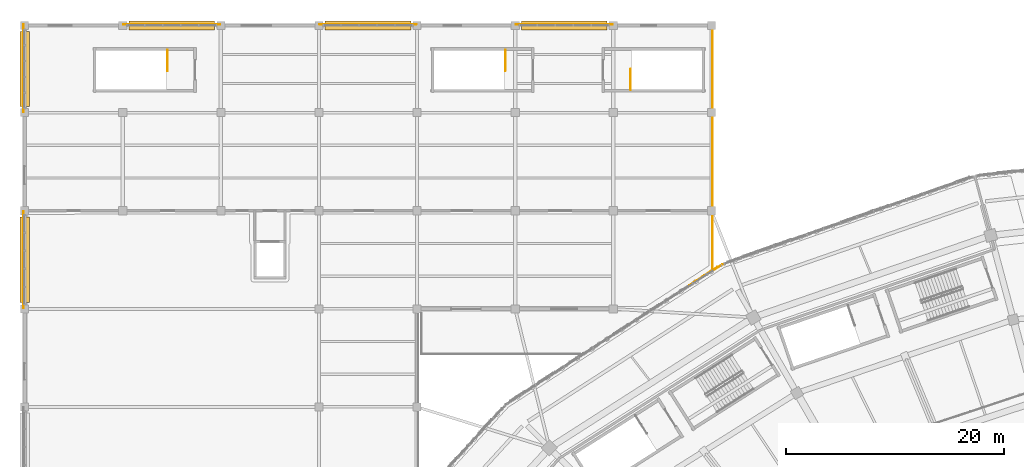
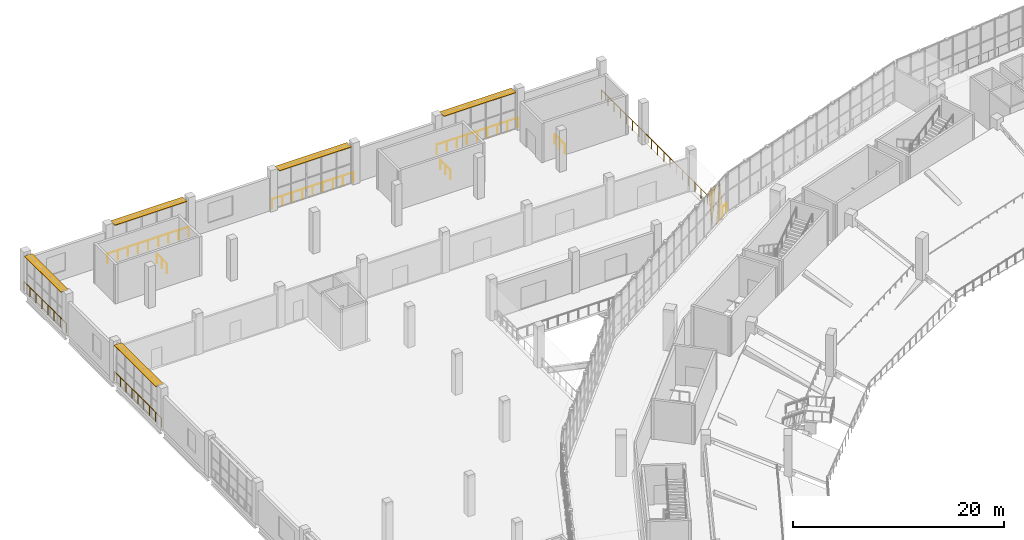
# One storey, part 141 of 152: 10 railings, 5 shading devices, 2 coverings.
"""IFC4 building model written with IfcOpenShell, lengths in metres."""

from ifc_helpers import new_model, si_unit, direction, frame, origin, origin_2d, place, context, subcontext, project, spatial, polyline, rectangle, circle, outline, extrude, material, layer, layer_set, type_object, element, save


model = new_model("IFC4")

# Units and contexts
model_context = context("Model", 3, precision=1e-05, world=origin(), true_north=direction((0.0, 1.0)))
body_context = subcontext(model_context, "Body", "Model", "MODEL_VIEW")
ifc_project = project(units=[si_unit("LENGTHUNIT", "METRE"), si_unit("AREAUNIT", "SQUARE_METRE"), si_unit("VOLUMEUNIT", "CUBIC_METRE"), si_unit("PLANEANGLEUNIT", "RADIAN"), si_unit("MASSUNIT", "GRAM", prefix="KILO")], contexts=[model_context])

# Site, building, storey
site_placement = place(None, origin())
site = spatial("IfcSite", under=ifc_project, at=site_placement, CompositionType="ELEMENT")
building_placement = place(site_placement, origin())
building = spatial("IfcBuilding", under=site, at=building_placement, Name="Zevraka Park Crest Stadium", CompositionType="ELEMENT")
storey_placement = place(building_placement, frame((0.0, 0.0, 15.0)))
storey = spatial("IfcBuildingStorey", under=building, at=storey_placement, Name="L03", CompositionType="ELEMENT", Elevation=15.0)

# Coverings
ifc_material_1 = material(Name="Architectural golden-bronze perforated aluminium", Category="aluminium")
ifc_layer_1 = layer(ifc_material_1, 0.034912109375)
ifc_layer_set_1 = layer_set([ifc_layer_1], Name="Architectural golden-bronze perforated aluminium")
covering_type = type_object("IfcCoveringType", Name="CLD01", PredefinedType="CLADDING", material=ifc_layer_set_1)
covering_1_placement = place(storey_placement, frame((63.554931640625, 161.860107421875, -0.260009765625), z_axis=(-0.54371325202, 0.839271052215, 2.2174779e-05), x_axis=(-0.839271052422, -0.543713252153, 0.0)))
element("IfcCovering", 1, at=covering_1_placement, inside=storey, type_object=covering_type, Name="Triangular Golden-Bronze Perforated Cladding L03-08-1", PredefinedType="CLADDING", context=body_context, shape_type="SweptSolid", body=[
    extrude(outline(polyline([(0.0, 0.0), (1.467861414015771, 1.6940658945086007e-21), (0.7339970782544862, 4.620117188635904), (0.0, 0.0)])), origin(), (0.0, 0.0, -1.0), 0.034912109375),
])
covering_2_placement = place(storey_placement, frame((60.95703125, 160.177978515625, 4.52001953125), z_axis=(-0.543244377894, 0.839574618944, 7.1501841e-05), x_axis=(0.83957462109, 0.543244379282, 0.0)))
element("IfcCovering", 2, at=covering_2_placement, inside=storey, type_object=covering_type, Name="Triangular Golden-Bronze Perforated Cladding L03-08-2", PredefinedType="CLADDING", context=body_context, shape_type="SweptSolid", body=[
    extrude(outline(polyline([(0.0, 0.0), (1.4673306729433993, 0.0), (0.7338642785051281, 4.30004883911703), (0.0, 0.0)])), origin(), (0.0, 0.0, -1.0), 0.034912109375),
])

# Railings
ifc_material_2 = material(Name="Galvanised and bronze-finished steel balustrade", Category="steel")
railing_type_1 = type_object("IfcRailingType", Name="GR01", PredefinedType="GUARDRAIL", material=ifc_material_2)
for number, where, name in (
    (3, (9.06591796875, 184.10498046875, 0.0), "Deck Edge Protection Guardrail GR01 L03-1"),
    (4, (27.06591796875, 184.10498046875, 0.0), "Deck Edge Protection Guardrail GR01 L03-2"),
    (5, (45.06591796875, 184.10498046875, 0.0), "Deck Edge Protection Guardrail GR01 L03-3"),
):
    element("IfcRailing", number, at=place(storey_placement, frame(where)), inside=storey, type_object=railing_type_1, Name=name, PredefinedType="GUARDRAIL", context=body_context, shape_type="SweptSolid", body=[
        extrude(circle(Radius=0.02392578125, at=origin_2d()), frame((0.0, 0.0, 1.076171875), z_axis=(1.0, 0.0, 0.0), x_axis=(0.0, 1.0, 0.0)), (0.0, 0.0, 1.0), 8.8681640625),
        extrude(circle(Radius=0.02099609375, at=origin_2d()), origin(), (0.0, 0.0, 1.0), 1.052001953125),
        extrude(circle(Radius=0.02099609375, at=origin_2d()), frame((1.1083984375, 0.0, 0.0)), (0.0, 0.0, 1.0), 1.052001953125),
        extrude(circle(Radius=0.02099609375, at=origin_2d()), frame((2.217041015625, 0.0, 0.0)), (0.0, 0.0, 1.0), 1.052001953125),
        extrude(circle(Radius=0.02099609375, at=origin_2d()), frame((3.32568359375, 0.0, 0.0)), (0.0, 0.0, 1.0), 1.052001953125),
        extrude(circle(Radius=0.02099609375, at=origin_2d()), frame((4.43408203125, 0.0, 0.0)), (0.0, 0.0, 1.0), 1.052001953125),
        extrude(circle(Radius=0.02099609375, at=origin_2d()), frame((5.54248046875, 0.0, 0.0)), (0.0, 0.0, 1.0), 1.052001953125),
        extrude(circle(Radius=0.02099609375, at=origin_2d()), frame((6.651123046875, 0.0, 0.0)), (0.0, 0.0, 1.0), 1.052001953125),
        extrude(circle(Radius=0.02099609375, at=origin_2d()), frame((7.759765625, 0.0, 0.0)), (0.0, 0.0, 1.0), 1.052001953125),
        extrude(circle(Radius=0.02099609375, at=origin_2d()), frame((8.8681640625, 0.0, 0.0)), (0.0, 0.0, 1.0), 1.052001953125),
    ])
railing_1_placement = place(storey_placement, frame((63.10498046875, 184.10498046875, 0.0)))
element("IfcRailing", 6, at=railing_1_placement, inside=storey, type_object=railing_type_1, Name="Deck Edge Protection Guardrail GR01 L03-4", PredefinedType="GUARDRAIL", context=body_context, shape_type="SweptSolid", body=[
    extrude(circle(Radius=0.02392578125, at=origin_2d()), frame((0.0, 0.0, 1.076171875), z_axis=(0.0, -1.0, 0.0), x_axis=(1.0, 0.0, 0.0)), (0.0, 0.0, 1.0), 22.380859375),
    extrude(circle(Radius=0.02099609375, at=origin_2d()), origin(), (0.0, 0.0, 1.0), 1.052001953125),
    extrude(circle(Radius=0.02099609375, at=origin_2d()), frame((0.0, -1.177978515625, 0.0)), (0.0, 0.0, 1.0), 1.052001953125),
    extrude(circle(Radius=0.02099609375, at=origin_2d()), frame((0.0, -2.35595703125, 0.0)), (0.0, 0.0, 1.0), 1.052001953125),
    extrude(circle(Radius=0.02099609375, at=origin_2d()), frame((0.0, -3.533935546875, 0.0)), (0.0, 0.0, 1.0), 1.052001953125),
    extrude(circle(Radius=0.02099609375, at=origin_2d()), frame((0.0, -4.711669921875, 0.0)), (0.0, 0.0, 1.0), 1.052001953125),
    extrude(circle(Radius=0.02099609375, at=origin_2d()), frame((0.0, -5.8896484375, 0.0)), (0.0, 0.0, 1.0), 1.052001953125),
    extrude(circle(Radius=0.02099609375, at=origin_2d()), frame((0.0, -7.067626953125, 0.0)), (0.0, 0.0, 1.0), 1.052001953125),
    extrude(circle(Radius=0.02099609375, at=origin_2d()), frame((0.0, -8.24560546875, 0.0)), (0.0, 0.0, 1.0), 1.052001953125),
    extrude(circle(Radius=0.02099609375, at=origin_2d()), frame((0.0, -9.423583984375, 0.0)), (0.0, 0.0, 1.0), 1.052001953125),
    extrude(circle(Radius=0.02099609375, at=origin_2d()), frame((0.0, -10.6015625, 0.0)), (0.0, 0.0, 1.0), 1.052001953125),
    extrude(circle(Radius=0.02099609375, at=origin_2d()), frame((0.0, -11.779296875, 0.0)), (0.0, 0.0, 1.0), 1.052001953125),
    extrude(circle(Radius=0.02099609375, at=origin_2d()), frame((0.0, -12.957275390625, 0.0)), (0.0, 0.0, 1.0), 1.052001953125),
    extrude(circle(Radius=0.02099609375, at=origin_2d()), frame((0.0, -14.13525390625, 0.0)), (0.0, 0.0, 1.0), 1.052001953125),
    extrude(circle(Radius=0.02099609375, at=origin_2d()), frame((0.0, -15.313232421875, 0.0)), (0.0, 0.0, 1.0), 1.052001953125),
    extrude(circle(Radius=0.02099609375, at=origin_2d()), frame((0.0, -16.4912109375, 0.0)), (0.0, 0.0, 1.0), 1.052001953125),
    extrude(circle(Radius=0.02099609375, at=origin_2d()), frame((0.0, -17.669189453125, 0.0)), (0.0, 0.0, 1.0), 1.052001953125),
    extrude(circle(Radius=0.02099609375, at=origin_2d()), frame((0.0, -18.846923828125, 0.0)), (0.0, 0.0, 1.0), 1.052001953125),
    extrude(circle(Radius=0.02099609375, at=origin_2d()), frame((0.0, -20.02490234375, 0.0)), (0.0, 0.0, 1.0), 1.052001953125),
    extrude(circle(Radius=0.02099609375, at=origin_2d()), frame((0.0, -21.202880859375, 0.0)), (0.0, 0.0, 1.0), 1.052001953125),
    extrude(circle(Radius=0.02099609375, at=origin_2d()), frame((0.0, -22.380859375, 0.0)), (0.0, 0.0, 1.0), 1.052001953125),
])
railing_2_placement = place(storey_placement, frame((63.298095703125, 161.610107421875, 0.0)))
element("IfcRailing", 7, at=railing_2_placement, inside=storey, type_object=railing_type_1, Name="Deck Edge Protection Guardrail GR01 L03-5", PredefinedType="GUARDRAIL", context=body_context, shape_type="SweptSolid", body=[
    extrude(circle(Radius=0.02392578125, at=origin_2d()), frame((0.0, 0.0, 1.076171875), z_axis=(0.839247489197, 0.543749622415, 0.0), x_axis=(-0.543749622415, 0.839247489197, 0.0)), (0.0, 0.0, 1.0), 0.873291015625),
    extrude(circle(Radius=0.02099609375, at=origin_2d()), origin(), (0.0, 0.0, 1.0), 1.052001953125),
    extrude(circle(Radius=0.02099609375, at=origin_2d()), frame((0.73291015625, 0.474853515625, 0.0)), (0.0, 0.0, 1.0), 1.052001953125),
])
railing_3_placement = place(storey_placement, frame((-0.10498046875, 158.06591796875, 0.0)))
element("IfcRailing", 8, at=railing_3_placement, inside=storey, type_object=railing_type_1, Name="Deck Edge Protection Guardrail GR01 L03-51", PredefinedType="GUARDRAIL", context=body_context, shape_type="SweptSolid", body=[
    extrude(circle(Radius=0.02392578125, at=origin_2d()), frame((0.0, 0.0, 1.076171875), z_axis=(0.0, 1.0, 0.0), x_axis=(-1.0, 0.0, 0.0)), (0.0, 0.0, 1.0), 8.8681640625),
    extrude(circle(Radius=0.02099609375, at=origin_2d()), origin(), (0.0, 0.0, 1.0), 1.052001953125),
    extrude(circle(Radius=0.02099609375, at=origin_2d()), frame((0.0, 1.1083984375, 0.0)), (0.0, 0.0, 1.0), 1.052001953125),
    extrude(circle(Radius=0.02099609375, at=origin_2d()), frame((0.0, 2.217041015625, 0.0)), (0.0, 0.0, 1.0), 1.052001953125),
    extrude(circle(Radius=0.02099609375, at=origin_2d()), frame((0.0, 3.32568359375, 0.0)), (0.0, 0.0, 1.0), 1.052001953125),
    extrude(circle(Radius=0.02099609375, at=origin_2d()), frame((0.0, 4.43408203125, 0.0)), (0.0, 0.0, 1.0), 1.052001953125),
    extrude(circle(Radius=0.02099609375, at=origin_2d()), frame((0.0, 5.54248046875, 0.0)), (0.0, 0.0, 1.0), 1.052001953125),
    extrude(circle(Radius=0.02099609375, at=origin_2d()), frame((0.0, 6.651123046875, 0.0)), (0.0, 0.0, 1.0), 1.052001953125),
    extrude(circle(Radius=0.02099609375, at=origin_2d()), frame((0.0, 7.759765625, 0.0)), (0.0, 0.0, 1.0), 1.052001953125),
    extrude(circle(Radius=0.02099609375, at=origin_2d()), frame((0.0, 8.8681640625, 0.0)), (0.0, 0.0, 1.0), 1.052001953125),
])
railing_4_placement = place(storey_placement, frame((-0.10498046875, 176.06591796875, 0.0)))
element("IfcRailing", 9, at=railing_4_placement, inside=storey, type_object=railing_type_1, Name="Deck Edge Protection Guardrail GR01 L03-52", PredefinedType="GUARDRAIL", context=body_context, shape_type="SweptSolid", body=[
    extrude(circle(Radius=0.02392578125, at=origin_2d()), frame((0.0, 0.0, 1.076171875), z_axis=(0.0, 1.0, 0.0), x_axis=(-1.0, 0.0, 0.0)), (0.0, 0.0, 1.0), 8.0390625),
    extrude(circle(Radius=0.02099609375, at=origin_2d()), origin(), (0.0, 0.0, 1.0), 1.052001953125),
    extrude(circle(Radius=0.02099609375, at=origin_2d()), frame((0.0, 1.1484375, 0.0)), (0.0, 0.0, 1.0), 1.052001953125),
    extrude(circle(Radius=0.02099609375, at=origin_2d()), frame((0.0, 2.296875, 0.0)), (0.0, 0.0, 1.0), 1.052001953125),
    extrude(circle(Radius=0.02099609375, at=origin_2d()), frame((0.0, 3.4453125, 0.0)), (0.0, 0.0, 1.0), 1.052001953125),
    extrude(circle(Radius=0.02099609375, at=origin_2d()), frame((0.0, 4.59375, 0.0)), (0.0, 0.0, 1.0), 1.052001953125),
    extrude(circle(Radius=0.02099609375, at=origin_2d()), frame((0.0, 5.7421875, 0.0)), (0.0, 0.0, 1.0), 1.052001953125),
    extrude(circle(Radius=0.02099609375, at=origin_2d()), frame((0.0, 6.890625, 0.0)), (0.0, 0.0, 1.0), 1.052001953125),
    extrude(circle(Radius=0.02099609375, at=origin_2d()), frame((0.0, 8.0390625, 0.0)), (0.0, 0.0, 1.0), 1.052001953125),
])
ifc_material_3 = material(Name="Powder-coated tubular steel stairwell guard", Category="steel")
railing_type_2 = type_object("IfcRailingType", Name="GR03", PredefinedType="GUARDRAIL", material=ifc_material_3)
for number, where, name in (
    (10, (13.10009765625, 181.75, 0.0), "L03 ST47 top well guard 1"),
    (11, (44.10009765625, 181.75, 0.0), "L03 ST49 top well guard 1"),
):
    element("IfcRailing", number, at=place(storey_placement, frame(where)), inside=storey, type_object=railing_type_2, Name=name, PredefinedType="GUARDRAIL", context=body_context, shape_type="SweptSolid", body=[
        extrude(circle(Radius=0.02392578125, at=origin_2d()), frame((0.0, 0.0, 1.076171875), z_axis=(0.0, -1.0, 0.0), x_axis=(1.0, 0.0, 0.0)), (0.0, 0.0, 1.0), 1.909912109375),
        extrude(circle(Radius=0.02099609375, at=origin_2d()), origin(), (0.0, 0.0, 1.0), 1.052001953125),
        extrude(circle(Radius=0.02099609375, at=origin_2d()), frame((0.0, -0.955078125, 0.0)), (0.0, 0.0, 1.0), 1.052001953125),
        extrude(circle(Radius=0.02099609375, at=origin_2d()), frame((0.0, -1.909912109375, 0.0)), (0.0, 0.0, 1.0), 1.052001953125),
    ])
railing_5_placement = place(storey_placement, frame((55.60009765625, 178.090087890625, 0.0)))
element("IfcRailing", 12, at=railing_5_placement, inside=storey, type_object=railing_type_2, Name="L03 ST50 top well guard 1", PredefinedType="GUARDRAIL", context=body_context, shape_type="SweptSolid", body=[
    extrude(circle(Radius=0.02392578125, at=origin_2d()), frame((0.0, 0.0, 1.076171875), z_axis=(0.0, 1.0, 0.0), x_axis=(-1.0, 0.0, 0.0)), (0.0, 0.0, 1.0), 1.909912109375),
    extrude(circle(Radius=0.02099609375, at=origin_2d()), origin(), (0.0, 0.0, 1.0), 1.052001953125),
    extrude(circle(Radius=0.02099609375, at=origin_2d()), frame((0.0, 0.955078125, 0.0)), (0.0, 0.0, 1.0), 1.052001953125),
    extrude(circle(Radius=0.02099609375, at=origin_2d()), frame((0.0, 1.909912109375, 0.0)), (0.0, 0.0, 1.0), 1.052001953125),
])

# Shading devices
ifc_material_4 = material(Name="Architectural golden-bronze anodised bronze", Category="aluminium")
ifc_layer_2 = layer(ifc_material_4, 0.06005859375)
ifc_layer_set_2 = layer_set([ifc_layer_2], Name="Architectural golden-bronze anodised bronze")
shading_device_type = type_object("IfcShadingDeviceType", Name="SHD01", PredefinedType="USERDEFINED", material=ifc_layer_set_2)
shading_device_1_placement = place(storey_placement, frame((0.0, 162.5, 4.4599609375), z_axis=(0.0, 0.0, 1.0), x_axis=(0.0, 1.0, 0.0)))
element("IfcShadingDevice", 13, at=shading_device_1_placement, inside=storey, type_object=shading_device_type, Name="Wing Bronze Solar Screen SHD01 L03-NW-W-6", ObjectType="SOLAR SCREEN", PredefinedType="USERDEFINED", context=body_context, shape_type="SweptSolid", body=[
    extrude(rectangle(XDim=7.8701171875, YDim=0.85009765625, at=origin_2d()), origin(), (0.0, 0.0, 1.0), 0.06005859375),
])
shading_device_2_placement = place(storey_placement, frame((0.0, 180.0, 4.4599609375), z_axis=(0.0, 0.0, 1.0), x_axis=(0.0, 1.0, 0.0)))
element("IfcShadingDevice", 14, at=shading_device_2_placement, inside=storey, type_object=shading_device_type, Name="Wing Bronze Solar Screen SHD01 L03-NW-W-8", ObjectType="SOLAR SCREEN", PredefinedType="USERDEFINED", context=body_context, shape_type="SweptSolid", body=[
    extrude(rectangle(XDim=6.8701171875, YDim=0.85009765625, at=origin_2d()), origin(), (0.0, 0.0, 1.0), 0.06005859375),
])
for number, where, z_axis, x_axis, name in (
    (15, (13.5, 184.0, 4.4599609375), (0.0, 0.0, 1.0), (1.0, 0.0, 0.0), "Wing Bronze Solar Screen SHD01 L03-NW-N2-2"),
    (16, (31.5, 184.0, 4.4599609375), (0.0, 0.0, 1.0), (1.0, 0.0, 0.0), "Wing Bronze Solar Screen SHD01 L03-NW-N2-4"),
    (17, (49.5, 184.0, 4.4599609375), (0.0, 0.0, 1.0), (1.0, 0.0, 0.0), "Wing Bronze Solar Screen SHD01 L03-NW-N2-6"),
):
    element("IfcShadingDevice", number, at=place(storey_placement, frame(where, z_axis=z_axis, x_axis=x_axis)), inside=storey, type_object=shading_device_type, Name=name, ObjectType="SOLAR SCREEN", PredefinedType="USERDEFINED", context=body_context, shape_type="SweptSolid", body=[
        extrude(rectangle(XDim=7.8701171875, YDim=0.85009765625, at=origin_2d()), origin(), (0.0, 0.0, 1.0), 0.06005859375),
    ])

save(model, "model.ifc")
